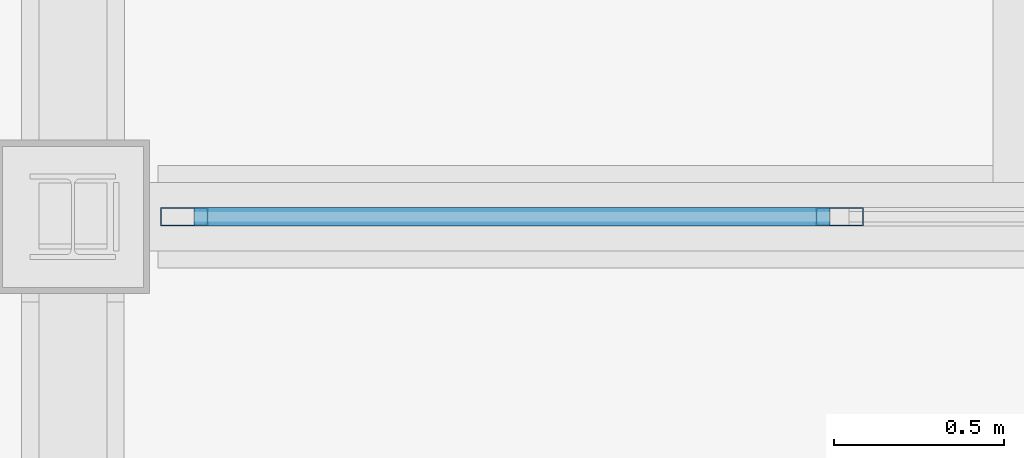
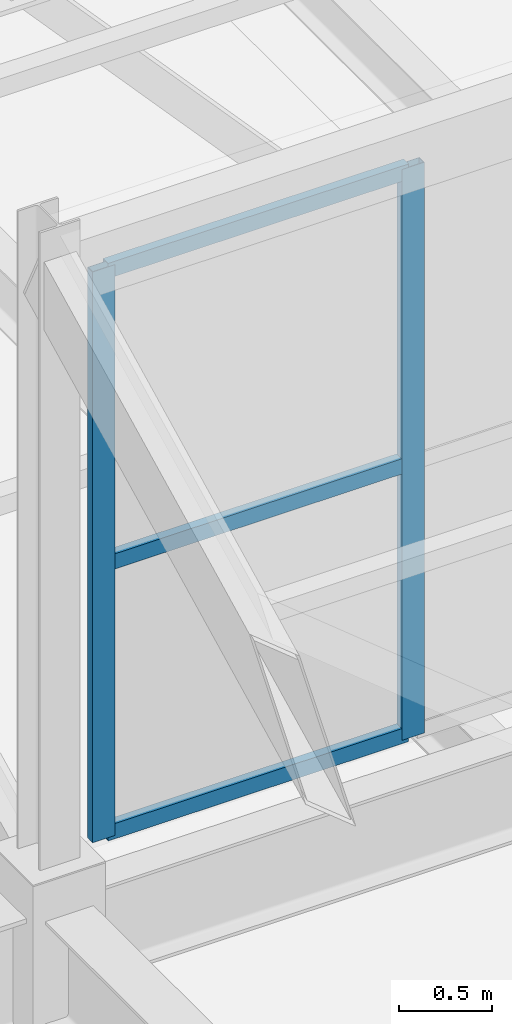
# One storey, part 28 of 91: 5 members, 1 element without a shape of its own.
"""IFC4 building model written with IfcOpenShell, lengths in metres."""

from ifc_helpers import new_model, si_unit, direction, frame, origin, origin_2d, place, context, subcontext, project, spatial, hollow_rectangle, extrude, material, layer, layer_set, material_profile, profile_set, type_object, element, aggregate, save


model = new_model("IFC4")

# Units and contexts
model_context = context("Model", 3, precision=1e-05, world=origin(), true_north=direction((0.0, 1.0)))
body_context = subcontext(model_context, "Body", "Model", "MODEL_VIEW")
ifc_project = project(units=[si_unit("LENGTHUNIT", "METRE"), si_unit("AREAUNIT", "SQUARE_METRE"), si_unit("VOLUMEUNIT", "CUBIC_METRE"), si_unit("PLANEANGLEUNIT", "RADIAN"), si_unit("MASSUNIT", "GRAM", prefix="KILO"), si_unit("THERMODYNAMICTEMPERATUREUNIT", "KELVIN")], contexts=[model_context])

# Site, building, storey
site_placement = place(None, origin())
site = spatial("IfcSite", under=ifc_project, at=site_placement, CompositionType="ELEMENT")
building_placement = place(site_placement, origin())
building = spatial("IfcBuilding", under=site, at=building_placement, Name="Lustrewick Department Store", CompositionType="ELEMENT")
storey_placement = place(building_placement, frame((0.0, 0.0, 21.60009765625)))
storey = spatial("IfcBuildingStorey", under=building, at=storey_placement, Name="L05", CompositionType="ELEMENT", Elevation=21.60009765625)

# Curtain wall, members
ifc_material = material(Name="Thermally broken aluminium 6063-T5", Category="aluminium")
ifc_layer = layer(ifc_material, 0.139892578125, Name="Thermally broken aluminium 6063-T5")
ifc_layer_set = layer_set([ifc_layer], Name="Thermally broken aluminium 6063-T5")
curtain_wall_type = type_object("IfcCurtainWallType", Name="CW15", PredefinedType="NOTDEFINED", material=ifc_layer_set)
curtain_wall_placement = place(storey_placement, origin())
curtain_wall = element("IfcCurtainWall", 1, at=curtain_wall_placement, inside=storey, type_object=curtain_wall_type, Name="L05 North-Light Clerestory CW15", PredefinedType="NOTDEFINED")
ifc_material_profile_1 = material_profile(ifc_material, hollow_rectangle(XDim=0.054931640625, YDim=0.139892578125, WallThickness=0.00341796875, at=origin_2d()), Name="ALU-M 55x140x3.5")
ifc_profile_set_1 = profile_set([ifc_material_profile_1], Name="Thermally broken aluminium 6063-T5")
member_type_1 = type_object("IfcMemberType", Name="CW15-M1", PredefinedType="MULLION", material=ifc_profile_set_1)
member_1_placement = place(storey_placement, frame((126.327392578125, 33.60009765625, 5.099853515625), z_axis=(0.0, 0.0, 1.0), x_axis=(0.0, 1.0, 0.0)))
member_1 = element("IfcMember", 2, at=member_1_placement, type_object=member_type_1, Name="CW15 mullion 1", PredefinedType="MULLION", context=body_context, shape_type="SweptSolid", body=[
    extrude(hollow_rectangle(XDim=0.054931640625, YDim=0.139892578125, WallThickness=0.00341796875, at=origin_2d()), origin(), (0.0, 0.0, 1.0), 3.75),
])
member_2_placement = place(storey_placement, frame((128.25, 33.60009765625, 5.099853515625), z_axis=(0.0, 0.0, 1.0), x_axis=(0.0, 1.0, 0.0)))
member_2 = element("IfcMember", 3, at=member_2_placement, type_object=member_type_1, Name="CW15 mullion 2", PredefinedType="MULLION", context=body_context, shape_type="SweptSolid", body=[
    extrude(hollow_rectangle(XDim=0.054931640625, YDim=0.139892578125, WallThickness=0.00341796875, at=origin_2d()), origin(), (0.0, 0.0, 1.0), 3.75),
])
ifc_material_profile_2 = material_profile(ifc_material, hollow_rectangle(XDim=0.054931640625, YDim=0.10009765625, WallThickness=0.0029296875, at=origin_2d()), Name="ALU-T 55x100x3")
ifc_profile_set_2 = profile_set([ifc_material_profile_2], Name="Thermally broken aluminium 6063-T5")
member_type_2 = type_object("IfcMemberType", Name="CW15-T1", PredefinedType="USERDEFINED", material=ifc_profile_set_2)
member_3_placement = place(storey_placement, frame((126.35498046875, 33.60009765625, 5.12744140625), z_axis=(1.0, 0.0, 0.0), x_axis=(0.0, 1.0, 0.0)))
member_3 = element("IfcMember", 4, at=member_3_placement, type_object=member_type_2, Name="CW15 transom 1.1", ObjectType="TRANSOM", PredefinedType="USERDEFINED", context=body_context, shape_type="SweptSolid", body=[
    extrude(hollow_rectangle(XDim=0.054931640625, YDim=0.10009765625, WallThickness=0.0029296875, at=origin_2d()), origin(), (0.0, 0.0, 1.0), 1.867431640625),
])
member_4_placement = place(storey_placement, frame((126.35498046875, 33.60009765625, 6.89990234375), z_axis=(1.0, 0.0, 0.0), x_axis=(0.0, 1.0, 0.0)))
member_4 = element("IfcMember", 5, at=member_4_placement, type_object=member_type_2, Name="CW15 transom 1.2", ObjectType="TRANSOM", PredefinedType="USERDEFINED", context=body_context, shape_type="SweptSolid", body=[
    extrude(hollow_rectangle(XDim=0.054931640625, YDim=0.10009765625, WallThickness=0.0029296875, at=origin_2d()), origin(), (0.0, 0.0, 1.0), 1.867431640625),
])
member_5_placement = place(storey_placement, frame((126.35498046875, 33.60009765625, 8.822509765625), z_axis=(1.0, 0.0, 0.0), x_axis=(0.0, 1.0, 0.0)))
member_5 = element("IfcMember", 6, at=member_5_placement, type_object=member_type_2, Name="CW15 transom 1.3", ObjectType="TRANSOM", PredefinedType="USERDEFINED", context=body_context, shape_type="SweptSolid", body=[
    extrude(hollow_rectangle(XDim=0.054931640625, YDim=0.10009765625, WallThickness=0.0029296875, at=origin_2d()), origin(), (0.0, 0.0, 1.0), 1.867431640625),
])
aggregate(curtain_wall, [member_1, member_2, member_3, member_4, member_5])

save(model, "model.ifc")
